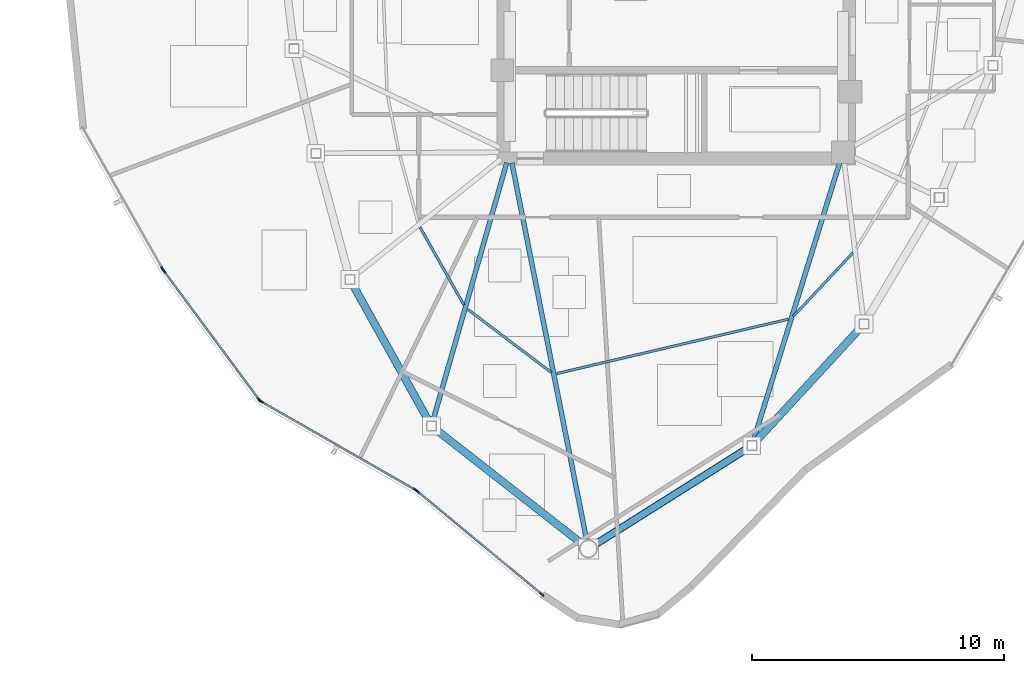
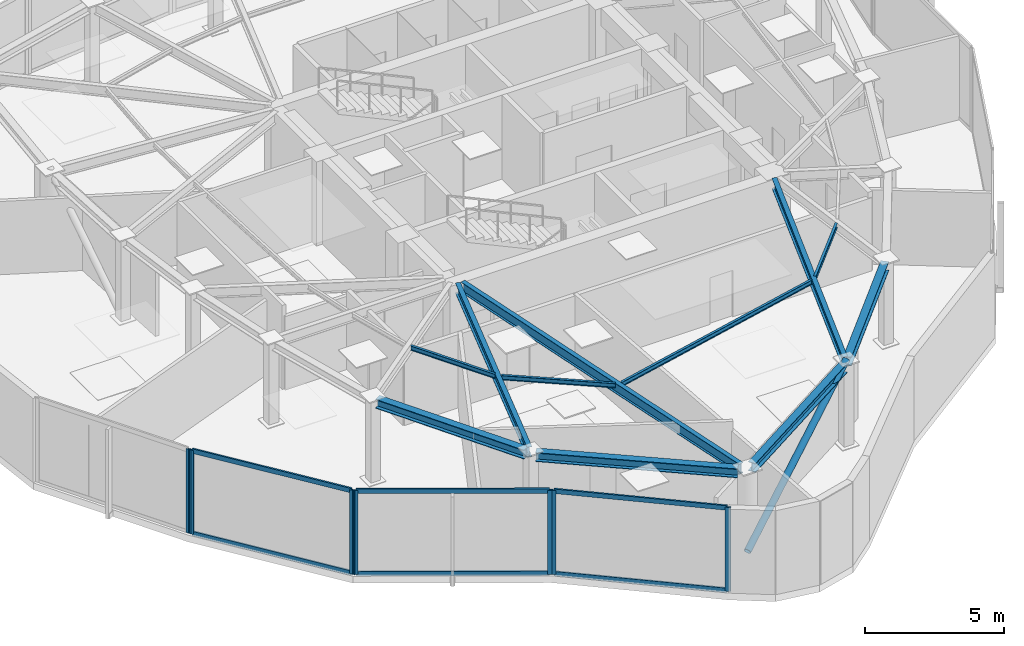
# One storey, part 2 of 11: 14 members, 11 beams, 4 elements without a shape of their own.
"""IFC4 building model written with IfcOpenShell, lengths in metres."""

from ifc_helpers import new_model, si_unit, direction, frame, origin, origin_2d, place, context, subcontext, project, spatial, hollow_rectangle, hollow_circle, i_section, extrude, source, transform, mapped, material, layer, layer_set, material_profile, profile_set, type_object, type_shapes, element, aggregate, save


model = new_model("IFC4")

# Units and contexts
model_context = context("Model", 3, precision=1e-05, world=origin(), true_north=direction((0.0, 1.0)))
body_context = subcontext(model_context, "Body", "Model", "MODEL_VIEW")
ifc_project = project(units=[si_unit("LENGTHUNIT", "METRE"), si_unit("AREAUNIT", "SQUARE_METRE"), si_unit("VOLUMEUNIT", "CUBIC_METRE"), si_unit("PLANEANGLEUNIT", "RADIAN"), si_unit("MASSUNIT", "GRAM", prefix="KILO")], contexts=[model_context])

# Site, building, storey
site_placement = place(None, origin())
site = spatial("IfcSite", under=ifc_project, at=site_placement, CompositionType="ELEMENT")
building_placement = place(site_placement, origin())
building = spatial("IfcBuilding", under=site, at=building_placement, Name="Tavelor Broadcast Tower", CompositionType="ELEMENT")
storey_placement = place(building_placement, frame((0.0, 0.0, 309.5)))
storey = spatial("IfcBuildingStorey", under=building, at=storey_placement, Name="L74", CompositionType="ELEMENT", Elevation=309.5)

# Beams
ifc_material_1 = material(Name="Steel S355", Category="steel")
ifc_material_profile_1 = material_profile(ifc_material_1, i_section(OverallWidth=0.10009765625, OverallDepth=0.199951171875, WebThickness=0.005615234375, FlangeThickness=0.008544921875, at=origin_2d()), Name="IPE 200")
ifc_profile_set_1 = profile_set([ifc_material_profile_1], Name="Steel S355")
beam_type_1 = type_object("IfcBeamType", Name="Composite Floor Joist T8 IPE 200", PredefinedType="JOIST", material=ifc_profile_set_1)
beam_1_placement = place(storey_placement, frame((39.850341796875, 35.818115234375, 3.60009765625), z_axis=(0.491325237054, -0.870976183046, 0.0), x_axis=(0.870976183046, 0.491325237054, 0.0)))
element("IfcBeam", 1, at=beam_1_placement, inside=storey, type_object=beam_type_1, Name="L74 Secondary Composite Floor Joist 05", PredefinedType="JOIST", context=body_context, shape_type="SweptSolid", body=[
    extrude(i_section(OverallWidth=0.10009765625, OverallDepth=0.199951171875, WebThickness=0.005615234375, FlangeThickness=0.008544921875, at=origin_2d()), origin(), (0.0, 0.0, 1.0), 3.517578125),
])
beam_2_placement = place(storey_placement, frame((41.738037109375, 32.572021484375, 3.60009765625), z_axis=(0.798228709669, -0.602354486213, 0.0), x_axis=(0.602354486213, 0.798228709669, 0.0)))
element("IfcBeam", 2, at=beam_2_placement, inside=storey, type_object=beam_type_1, Name="L74 Secondary Composite Floor Joist 06", PredefinedType="JOIST", context=body_context, shape_type="SweptSolid", body=[
    extrude(i_section(OverallWidth=0.10009765625, OverallDepth=0.199951171875, WebThickness=0.005615234375, FlangeThickness=0.008544921875, at=origin_2d()), origin(), (0.0, 0.0, 1.0), 4.14306640625),
])
beam_3_placement = place(storey_placement, frame((45.264404296875, 30.0302734375, 3.60009765625), z_axis=(0.973517343803, 0.2286131696, 0.0), x_axis=(-0.2286131696, 0.973517343803, 0.0)))
element("IfcBeam", 3, at=beam_3_placement, inside=storey, type_object=beam_type_1, Name="L74 Secondary Composite Floor Joist 07", PredefinedType="JOIST", context=body_context, shape_type="SweptSolid", body=[
    extrude(i_section(OverallWidth=0.10009765625, OverallDepth=0.199951171875, WebThickness=0.005615234375, FlangeThickness=0.008544921875, at=origin_2d()), origin(), (0.0, 0.0, 1.0), 9.420166015625),
])
beam_4_placement = place(storey_placement, frame((54.64013671875, 32.302490234375, 3.60009765625), z_axis=(0.683232798119, 0.730200618717, 0.0), x_axis=(-0.730200618717, 0.683232798119, 0.0)))
element("IfcBeam", 4, at=beam_4_placement, inside=storey, type_object=beam_type_1, Name="L74 Secondary Composite Floor Joist 08", PredefinedType="JOIST", context=body_context, shape_type="SweptSolid", body=[
    extrude(i_section(OverallWidth=0.10009765625, OverallDepth=0.199951171875, WebThickness=0.005615234375, FlangeThickness=0.008544921875, at=origin_2d()), origin(), (0.0, 0.0, 1.0), 3.441162109375),
])
ifc_material_profile_2 = material_profile(ifc_material_1, i_section(OverallWidth=0.300048828125, OverallDepth=0.39990234375, WebThickness=0.013427734375, FlangeThickness=0.02392578125, at=origin_2d()), Name="HEB 400")
ifc_profile_set_2 = profile_set([ifc_material_profile_2], Name="Steel S355")
beam_type_2 = type_object("IfcBeamType", Name="Perimeter Spandrel Beam T8 HEB 400", PredefinedType="SPANDREL", material=ifc_profile_set_2)
beam_5_placement = place(storey_placement, frame((37.161376953125, 33.591796875, 3.5), z_axis=(0.485960824991, -0.87398059279, 0.0), x_axis=(0.87398059279, 0.485960824991, 0.0)))
element("IfcBeam", 5, at=beam_5_placement, inside=storey, type_object=beam_type_2, Name="L74 Framed-Tube Ring Spandrel 05", PredefinedType="SPANDREL", context=body_context, shape_type="SweptSolid", body=[
    extrude(i_section(OverallWidth=0.300048828125, OverallDepth=0.39990234375, WebThickness=0.013427734375, FlangeThickness=0.02392578125, at=origin_2d()), origin(), (0.0, 0.0, 1.0), 6.25927734375),
])
beam_6_placement = place(storey_placement, frame((40.44775390625, 27.835205078125, 3.5), z_axis=(0.787507799936, -0.616304685233, 0.0), x_axis=(0.616304685233, 0.787507799936, 0.0)))
element("IfcBeam", 6, at=beam_6_placement, inside=storey, type_object=beam_type_2, Name="L74 Framed-Tube Ring Spandrel 06", PredefinedType="SPANDREL", context=body_context, shape_type="SweptSolid", body=[
    extrude(i_section(OverallWidth=0.300048828125, OverallDepth=0.39990234375, WebThickness=0.013427734375, FlangeThickness=0.02392578125, at=origin_2d()), origin(), (0.0, 0.0, 1.0), 7.362548828125),
])
beam_7_placement = place(storey_placement, frame((46.80322265625, 23.26953125, 3.5), z_axis=(0.845619104197, 0.533786783855, 0.0), x_axis=(-0.533786783855, 0.845619104197, 0.0)))
element("IfcBeam", 7, at=beam_7_placement, inside=storey, type_object=beam_type_2, Name="L74 Framed-Tube Ring Spandrel 07", PredefinedType="SPANDREL", context=body_context, shape_type="SweptSolid", body=[
    extrude(i_section(OverallWidth=0.300048828125, OverallDepth=0.39990234375, WebThickness=0.013427734375, FlangeThickness=0.02392578125, at=origin_2d()), origin(), (0.0, 0.0, 1.0), 7.127685546875),
])
beam_8_placement = place(storey_placement, frame((53.123046875, 27.318115234375, 3.5), z_axis=(0.677791441508, 0.735254215778, 0.0), x_axis=(-0.735254215778, 0.677791441508, 0.0)))
element("IfcBeam", 8, at=beam_8_placement, inside=storey, type_object=beam_type_2, Name="L74 Framed-Tube Ring Spandrel 08", PredefinedType="SPANDREL", context=body_context, shape_type="SweptSolid", body=[
    extrude(i_section(OverallWidth=0.300048828125, OverallDepth=0.39990234375, WebThickness=0.013427734375, FlangeThickness=0.02392578125, at=origin_2d()), origin(), (0.0, 0.0, 1.0), 6.164794921875),
])

# Member
ifc_material_profile_3 = material_profile(ifc_material_1, hollow_circle(Radius=0.136474609375, WallThickness=0.012451171875, at=origin_2d()), Name="CHS 273x12.5")
ifc_profile_set_3 = profile_set([ifc_material_profile_3], Name="Steel S355")
member_type_1 = type_object("IfcMemberType", Name="Perimeter Tube Brace T8 CHS 273x12.5", PredefinedType="BRACE", material=ifc_profile_set_3)
member_1_placement = place(storey_placement, frame((46.5146484375, 23.08740234375, 0.0), z_axis=(0.761462376336, 0.480666847696, 0.434895885184), x_axis=(-0.533789146824, 0.845617612596, 0.0)))
element("IfcMember", 9, at=member_1_placement, inside=storey, type_object=member_type_1, Name="L74 Corner Tube Diagonal Brace 2", PredefinedType="BRACE", context=body_context, shape_type="SweptSolid", body=[
    extrude(hollow_circle(Radius=0.136474609375, WallThickness=0.012451171875, at=origin_2d()), origin(), (0.0, 0.0, 1.0), 8.507568359375),
])

# Beams
ifc_material_profile_4 = material_profile(ifc_material_1, i_section(OverallWidth=0.18994140625, OverallDepth=0.449951171875, WebThickness=0.009521484375, FlangeThickness=0.0146484375, at=origin_2d()), Name="IPE 450")
ifc_profile_set_4 = profile_set([ifc_material_profile_4], Name="Steel S355")
beam_type_3 = type_object("IfcBeamType", Name="Radial Floor Girder T8 IPE 450", PredefinedType="BEAM", material=ifc_profile_set_4)
beam_9_placement = place(storey_placement, frame((43.28125, 38.384765625, 3.47509765625), z_axis=(-0.275093242186, -0.961417551381, 0.0), x_axis=(0.961417551381, -0.275093242186, 0.0)))
element("IfcBeam", 10, at=beam_9_placement, inside=storey, type_object=beam_type_3, Name="L74 Radial Primary Floor Girder 06", PredefinedType="BEAM", context=body_context, shape_type="SweptSolid", body=[
    extrude(i_section(OverallWidth=0.18994140625, OverallDepth=0.449951171875, WebThickness=0.009521484375, FlangeThickness=0.0146484375, at=origin_2d()), origin(), (0.0, 0.0, 1.0), 10.65771484375),
])
beam_10_placement = place(storey_placement, frame((43.48388671875, 38.376220703125, 3.47509765625), z_axis=(0.194446659361, -0.980913093328, 0.0), x_axis=(0.980913093328, 0.194446659361, 0.0)))
element("IfcBeam", 11, at=beam_10_placement, inside=storey, type_object=beam_type_3, Name="L74 Radial Primary Floor Girder 07", PredefinedType="BEAM", context=body_context, shape_type="SweptSolid", body=[
    extrude(i_section(OverallWidth=0.18994140625, OverallDepth=0.449951171875, WebThickness=0.009521484375, FlangeThickness=0.0146484375, at=origin_2d()), origin(), (0.0, 0.0, 1.0), 15.2451171875),
])
beam_11_placement = place(storey_placement, frame((56.471923828125, 38.387451171875, 3.47509765625), z_axis=(-0.296386578424, -0.955068058376, 0.0), x_axis=(0.955068058376, -0.296386578424, 0.0)))
element("IfcBeam", 12, at=beam_11_placement, inside=storey, type_object=beam_type_3, Name="L74 Radial Primary Floor Girder 08", PredefinedType="BEAM", context=body_context, shape_type="SweptSolid", body=[
    extrude(i_section(OverallWidth=0.18994140625, OverallDepth=0.449951171875, WebThickness=0.009521484375, FlangeThickness=0.0146484375, at=origin_2d()), origin(), (0.0, 0.0, 1.0), 11.546142578125),
])

# Curtain wall, member
ifc_material_2 = material(Name="Architectural Anodized Aluminium", Category="aluminium")
ifc_layer = layer(ifc_material_2, 0.199951171875)
ifc_layer_set = layer_set([ifc_layer], Name="Architectural Anodized Aluminium")
curtain_wall_type = type_object("IfcCurtainWallType", Name="Tower High-Zone Triple-Glazed Curtain Wall CW04", PredefinedType="NOTDEFINED", material=ifc_layer_set)
curtain_wall_1_placement = place(storey_placement, origin())
curtain_wall_1 = element("IfcCurtainWall", 13, at=curtain_wall_1_placement, inside=storey, type_object=curtain_wall_type, Name="L74 Curtain Wall CW04 Run 817", PredefinedType="NOTDEFINED")
ifc_material_profile_5 = material_profile(ifc_material_2, hollow_rectangle(XDim=0.070068359375, YDim=0.199951171875, WallThickness=0.02197265625, at=origin_2d()), Name="RHS 70x200x22")
ifc_profile_set_5 = profile_set([ifc_material_profile_5], Name="Architectural Anodized Aluminium")
member_type_2 = type_object("IfcMemberType", Name="CW04 Extruded Aluminium Mullion 70x200", PredefinedType="MULLION", material=ifc_profile_set_5)
shared_shape_1 = source(origin(), body_context, "Body", "SweptSolid", [
    extrude(hollow_rectangle(XDim=0.070068359375, YDim=0.199951171875, WallThickness=0.02197265625, at=origin_2d()), origin(), (0.0, 0.0, 1.0), 3.699951171875),
])
type_shapes(member_type_2, [shared_shape_1])
member_2_placement = place(storey_placement, frame((29.64501953125, 34.1787109375, 0.0), z_axis=(0.0, 0.0, 1.0), x_axis=(0.870145839934, 0.492794295061, 0.0)))
member_2 = element("IfcMember", 14, at=member_2_placement, type_object=member_type_2, Name="CW04 mullion 2", PredefinedType="MULLION", context=body_context, shape_type="MappedRepresentation", body=[
    mapped(shared_shape_1, transform((0.0, 0.0, 0.0), scale=1.0)),
])
aggregate(curtain_wall_1, [member_2])

# Curtain wall, members
curtain_wall_2_placement = place(storey_placement, origin())
curtain_wall_2 = element("IfcCurtainWall", 15, at=curtain_wall_2_placement, inside=storey, type_object=curtain_wall_type, Name="L74 Curtain Wall CW04 Run 818", PredefinedType="NOTDEFINED")
member_3_placement = place(storey_placement, frame((29.699462890625, 34.094970703125, 0.0), z_axis=(0.0, 0.0, 1.0), x_axis=(0.804107428078, 0.594484015016, 0.0)))
member_3 = element("IfcMember", 16, at=member_3_placement, type_object=member_type_2, Name="CW04 mullion 1", PredefinedType="MULLION", context=body_context, shape_type="MappedRepresentation", body=[
    mapped(shared_shape_1, transform((0.0, 0.0, 0.0), scale=1.0)),
])
member_4_placement = place(storey_placement, frame((33.469970703125, 28.994873046875, 0.0), z_axis=(0.0, 0.0, 1.0), x_axis=(0.804107428078, 0.594484015016, 0.0)))
member_4 = element("IfcMember", 17, at=member_4_placement, type_object=member_type_2, Name="CW04 mullion 2", PredefinedType="MULLION", context=body_context, shape_type="MappedRepresentation", body=[
    mapped(shared_shape_1, transform((0.0, 0.0, 0.0), scale=1.0)),
])

curtain_wall_3_placement = place(storey_placement, origin())
curtain_wall_3 = element("IfcCurtainWall", 18, at=curtain_wall_3_placement, inside=storey, type_object=curtain_wall_type, Name="L74 Curtain Wall CW04 Run 819", PredefinedType="NOTDEFINED")
member_5_placement = place(storey_placement, frame((33.54296875, 28.929931640625, 0.0), z_axis=(0.0, 0.0, 1.0), x_axis=(0.497271874834, 0.867594768598, 0.0)))
member_5 = element("IfcMember", 19, at=member_5_placement, type_object=member_type_2, Name="CW04 mullion 1", PredefinedType="MULLION", context=body_context, shape_type="MappedRepresentation", body=[
    mapped(shared_shape_1, transform((0.0, 0.0, 0.0), scale=1.0)),
])
member_6_placement = place(storey_placement, frame((39.656982421875, 25.425537109375, 0.0), z_axis=(0.0, 0.0, 1.0), x_axis=(0.497271874834, 0.867594768598, 0.0)))
member_6 = element("IfcMember", 20, at=member_6_placement, type_object=member_type_2, Name="CW04 mullion 2", PredefinedType="MULLION", context=body_context, shape_type="MappedRepresentation", body=[
    mapped(shared_shape_1, transform((0.0, 0.0, 0.0), scale=1.0)),
])

curtain_wall_4_placement = place(storey_placement, origin())
curtain_wall_4 = element("IfcCurtainWall", 21, at=curtain_wall_4_placement, inside=storey, type_object=curtain_wall_type, Name="L74 Curtain Wall CW04 Run 820", PredefinedType="NOTDEFINED")
member_7_placement = place(storey_placement, frame((39.73876953125, 25.368896484375, 0.0), z_axis=(0.0, 0.0, 1.0), x_axis=(0.637733455342, 0.77025712586, 0.0)))
member_7 = element("IfcMember", 22, at=member_7_placement, type_object=member_type_2, Name="CW04 mullion 1", PredefinedType="MULLION", context=body_context, shape_type="MappedRepresentation", body=[
    mapped(shared_shape_1, transform((0.0, 0.0, 0.0), scale=1.0)),
])
member_8_placement = place(storey_placement, frame((44.66845703125, 21.287353515625, 0.0), z_axis=(0.0, 0.0, 1.0), x_axis=(0.637733455342, 0.77025712586, 0.0)))
member_8 = element("IfcMember", 23, at=member_8_placement, type_object=member_type_2, Name="CW04 mullion 2", PredefinedType="MULLION", context=body_context, shape_type="MappedRepresentation", body=[
    mapped(shared_shape_1, transform((0.0, 0.0, 0.0), scale=1.0)),
])

# Member
ifc_material_profile_6 = material_profile(ifc_material_2, hollow_rectangle(XDim=0.070068359375, YDim=0.199951171875, WallThickness=0.02197265625, at=origin_2d()), Name="RHS 70x200x22")
ifc_profile_set_6 = profile_set([ifc_material_profile_6], Name="Architectural Anodized Aluminium")
member_type_3 = type_object("IfcMemberType", Name="CW04 Extruded Aluminium Transom 70x200", PredefinedType="USERDEFINED", material=ifc_profile_set_6)
shared_shape_2 = source(origin(), body_context, "Body", "SweptSolid", [
    extrude(hollow_rectangle(XDim=0.070068359375, YDim=0.199951171875, WallThickness=0.02197265625, at=origin_2d()), origin(), (0.0, 0.0, 1.0), 6.2724609375),
])
member_9_placement = place(storey_placement, frame((29.72021484375, 34.06689453125, 0.034912109375), z_axis=(0.59447423367, -0.804114659425, 0.0), x_axis=(0.804114659425, 0.59447423367, 0.0)))
member_9 = element("IfcMember", 24, at=member_9_placement, type_object=member_type_3, Name="CW04 transom 1.1", ObjectType="TRANSOM", PredefinedType="USERDEFINED", context=body_context, shape_type="MappedRepresentation", body=[
    mapped(shared_shape_2, transform((0.0, 0.0, 0.0), scale=1.0)),
])

member_10_placement = place(storey_placement, frame((29.72021484375, 34.06689453125, 3.6650390625), z_axis=(0.59447423367, -0.804114659425, 0.0), x_axis=(0.804114659425, 0.59447423367, 0.0)))
member_10 = element("IfcMember", 25, at=member_10_placement, type_object=member_type_3, Name="CW04 transom 1.2", ObjectType="TRANSOM", PredefinedType="USERDEFINED", context=body_context, shape_type="MappedRepresentation", body=[
    mapped(shared_shape_2, transform((0.0, 0.0, 0.0), scale=1.0)),
])

aggregate(curtain_wall_2, [member_3, member_4, member_9, member_10])

shared_shape_3 = source(origin(), body_context, "Body", "SweptSolid", [
    extrude(hollow_rectangle(XDim=0.070068359375, YDim=0.199951171875, WallThickness=0.02197265625, at=origin_2d()), origin(), (0.0, 0.0, 1.0), 6.97705078125),
])
member_11_placement = place(storey_placement, frame((33.5732421875, 28.91259765625, 0.034912109375), z_axis=(0.867594239761, -0.497272797501, 0.0), x_axis=(0.497272797501, 0.867594239761, 0.0)))
member_11 = element("IfcMember", 26, at=member_11_placement, type_object=member_type_3, Name="CW04 transom 1.1", ObjectType="TRANSOM", PredefinedType="USERDEFINED", context=body_context, shape_type="MappedRepresentation", body=[
    mapped(shared_shape_3, transform((0.0, 0.0, 0.0), scale=1.0)),
])

member_12_placement = place(storey_placement, frame((33.5732421875, 28.91259765625, 3.6650390625), z_axis=(0.867594239761, -0.497272797501, 0.0), x_axis=(0.497272797501, 0.867594239761, 0.0)))
member_12 = element("IfcMember", 27, at=member_12_placement, type_object=member_type_3, Name="CW04 transom 1.2", ObjectType="TRANSOM", PredefinedType="USERDEFINED", context=body_context, shape_type="MappedRepresentation", body=[
    mapped(shared_shape_3, transform((0.0, 0.0, 0.0), scale=1.0)),
])

aggregate(curtain_wall_3, [member_5, member_6, member_11, member_12])

shared_shape_4 = source(origin(), body_context, "Body", "SweptSolid", [
    extrude(hollow_rectangle(XDim=0.070068359375, YDim=0.199951171875, WallThickness=0.02197265625, at=origin_2d()), origin(), (0.0, 0.0, 1.0), 6.32958984375),
])
type_shapes(member_type_3, [shared_shape_2, shared_shape_3, shared_shape_4])
member_13_placement = place(storey_placement, frame((39.765869140625, 25.346435546875, 0.034912109375), z_axis=(0.770259727925, -0.637730312544, 0.0), x_axis=(0.637730312544, 0.770259727925, 0.0)))
member_13 = element("IfcMember", 28, at=member_13_placement, type_object=member_type_3, Name="CW04 transom 1.1", ObjectType="TRANSOM", PredefinedType="USERDEFINED", context=body_context, shape_type="MappedRepresentation", body=[
    mapped(shared_shape_4, transform((0.0, 0.0, 0.0), scale=1.0)),
])

member_14_placement = place(storey_placement, frame((39.765869140625, 25.346435546875, 3.6650390625), z_axis=(0.770259727925, -0.637730312544, 0.0), x_axis=(0.637730312544, 0.770259727925, 0.0)))
member_14 = element("IfcMember", 29, at=member_14_placement, type_object=member_type_3, Name="CW04 transom 1.2", ObjectType="TRANSOM", PredefinedType="USERDEFINED", context=body_context, shape_type="MappedRepresentation", body=[
    mapped(shared_shape_4, transform((0.0, 0.0, 0.0), scale=1.0)),
])

aggregate(curtain_wall_4, [member_7, member_8, member_13, member_14])

save(model, "model.ifc")
